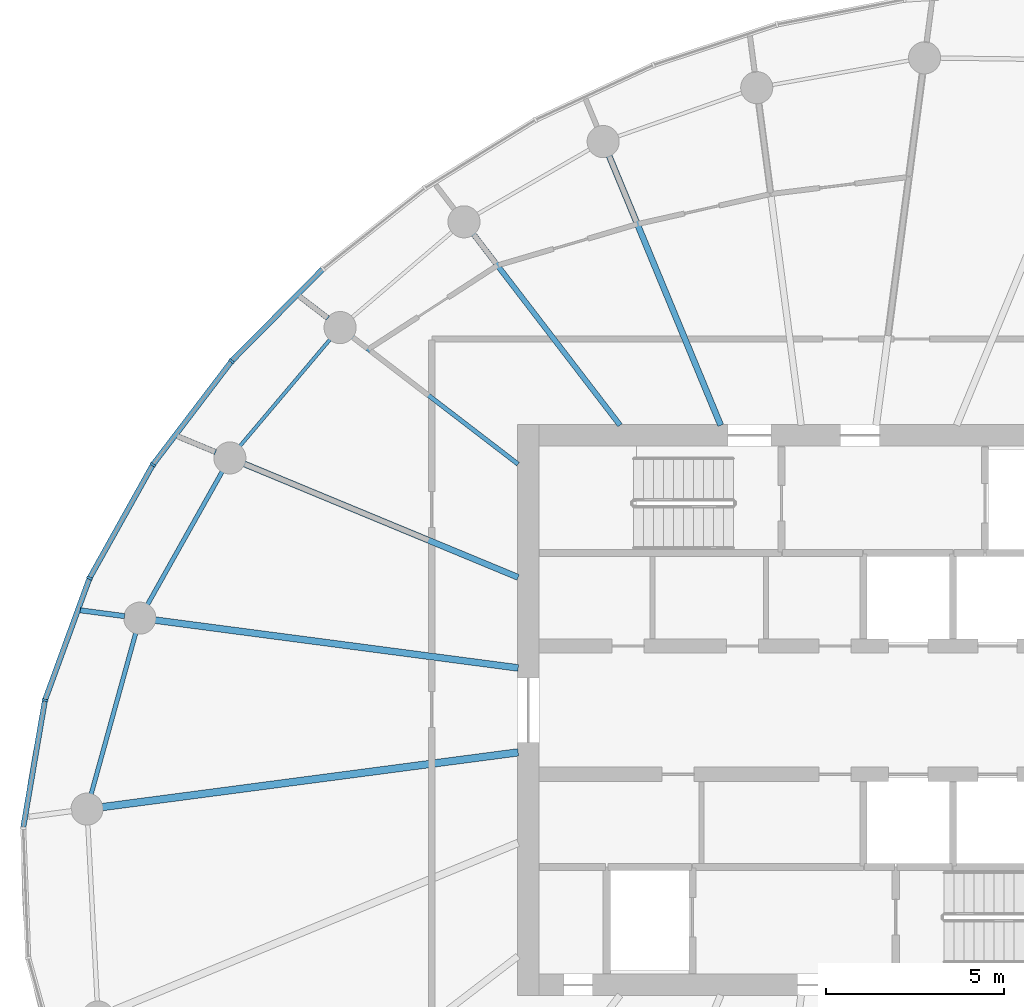
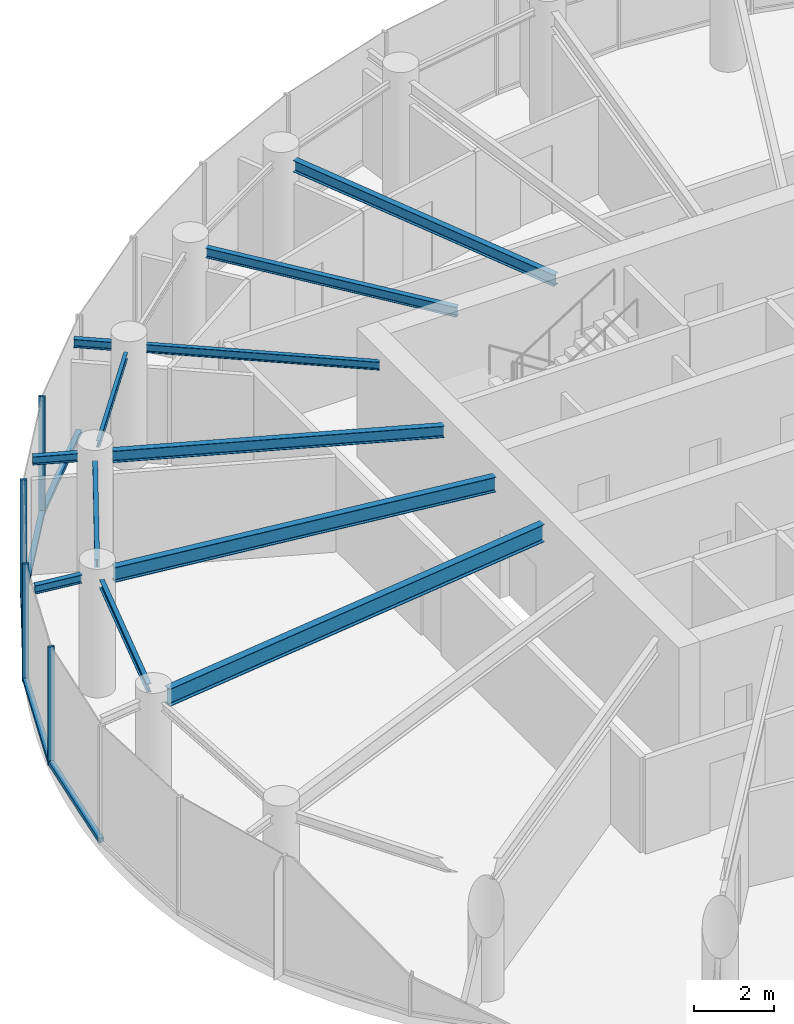
# One storey, part 4 of 14: 12 beams, 9 members, 2 elements without a shape of their own.
"""IFC4 building model written with IfcOpenShell, lengths in metres."""

import ifcopenshell
import ifcopenshell.guid

model = None  # the IFC model being written
_history = None  # IfcOwnerHistory: only IFC2X3 demands one
_inside = {}  # id of a spatial element -> (the spatial element, [elements in it])
_under = {}  # id of a project, library or spatial element -> (it, [spatial elements below it])
_declared = {}  # id of a project -> (the project, [libraries it declares])
_typed = {}  # id of a type object -> (the type object, [elements of that type])
_made_of = {}  # id of a material, layer set ... -> (it, [elements and type objects made of it])


def new_model(schema):
    """Start an empty IFC model of exactly this schema.

    Asked for "IFC4X3", IfcOpenShell would pick the latest addendum, in which some entities
    have other attributes; the version numbers below select the first issue.
    IFC2X3 requires an IfcOwnerHistory on every rooted entity: one is made here for all.
    """
    global model, _history
    if schema == "IFC4X3":
        model = ifcopenshell.file(schema_version=(4, 3, 0, 0))
    else:
        model = ifcopenshell.file(schema=schema)
    _inside.clear()
    _under.clear()
    _declared.clear()
    _typed.clear()
    _made_of.clear()
    _history = None
    if model.schema == "IFC2X3":
        org = make("IfcOrganization", Name="unknown")
        user = make(
            "IfcPersonAndOrganization",
            ThePerson=make("IfcPerson", FamilyName="unknown"),
            TheOrganization=org,
        )
        app = make(
            "IfcApplication",
            ApplicationDeveloper=org,
            Version="unknown",
            ApplicationFullName="unknown",
            ApplicationIdentifier="unknown",
        )
        _history = make(
            "IfcOwnerHistory",
            OwningUser=user,
            OwningApplication=app,
            ChangeAction="ADDED",
            CreationDate=0,
        )
    return model


def make(cls, **values):
    """One entity of the class cls with the attributes given. An attribute that is None is left unset."""
    return model.create_entity(
        cls, **{name: value for name, value in values.items() if value is not None}
    )


def rooted(cls, **values):
    """An entity with a GlobalId (a new one), such as an element, a storey or a relation."""
    return make(cls, GlobalId=ifcopenshell.guid.new(), OwnerHistory=_history, **values)


def si_unit(unit_type, name, prefix=None):
    """IfcSIUnit, for example si_unit("LENGTHUNIT", "METRE", prefix="MILLI")."""
    return make("IfcSIUnit", UnitType=unit_type, Prefix=prefix, Name=name)


def assignment(units):
    """IfcUnitAssignment: the units of a project."""
    return None if units is None else make("IfcUnitAssignment", Units=units)


def point(xyz):
    """IfcCartesianPoint."""
    return None if xyz is None else make("IfcCartesianPoint", Coordinates=xyz)


def direction(xyz):
    """IfcDirection."""
    return None if xyz is None else make("IfcDirection", DirectionRatios=xyz)


def frame(location, z_axis=None, x_axis=None):
    """IfcAxis2Placement3D, a coordinate frame: its origin and axes. An axis left out is left unset."""
    return make(
        "IfcAxis2Placement3D",
        Location=point(location),
        Axis=direction(z_axis),
        RefDirection=direction(x_axis),
    )


def frame_2d(location, x_axis=None):
    """IfcAxis2Placement2D, a coordinate frame in the plane: its origin and x axis."""
    return make(
        "IfcAxis2Placement2D", Location=point(location), RefDirection=direction(x_axis)
    )


def origin():
    """The frame at (0, 0, 0) with its axes left unset."""
    return frame((0.0, 0.0, 0.0))


def origin_2d():
    """The frame at (0, 0) in the plane with its x axis left unset."""
    return frame_2d((0.0, 0.0))


def place(relative_to, where):
    """IfcLocalPlacement: puts the frame where relative to a parent placement (None: the world)."""
    return make(
        "IfcLocalPlacement", PlacementRelTo=relative_to, RelativePlacement=where
    )


def context(
    kind, dimensions, precision=None, world=None, true_north=None, identifier=None
):
    """IfcGeometricRepresentationContext, for example the 3D "Model" context."""
    return make(
        "IfcGeometricRepresentationContext",
        ContextIdentifier=identifier,
        ContextType=kind,
        CoordinateSpaceDimension=dimensions,
        Precision=precision,
        WorldCoordinateSystem=world,
        TrueNorth=true_north,
    )


def subcontext(parent, identifier, kind, view, scale=None):
    """IfcGeometricRepresentationSubContext, for example "Body" below "Model"."""
    return make(
        "IfcGeometricRepresentationSubContext",
        ContextIdentifier=identifier,
        ContextType=kind,
        ParentContext=parent,
        TargetScale=scale,
        TargetView=view,
    )


def project(units=None, contexts=None):
    """IfcProject with its units and contexts."""
    return rooted(
        "IfcProject",
        Name="project",
        RepresentationContexts=contexts,
        UnitsInContext=assignment(units),
    )


def spatial(cls, under=None, at=None, **own):
    """A site, building, storey or space (cls), placed at a placement, below another one or the project."""
    s = rooted(cls, ObjectPlacement=at, **own)
    if under is not None:
        _under.setdefault(under.id(), (under, []))[1].append(s)
    return s


def profile(cls, at=None, kind="AREA", **sizes):
    """A parametric profile (cls). Its sizes go by their IFC names, for example OverallWidth=200.0."""
    return make(cls, ProfileType=kind, Position=at, **sizes)


def rectangle(**sizes):
    """IfcRectangleProfileDef."""
    return profile("IfcRectangleProfileDef", **sizes)


def i_section(**sizes):
    """IfcIShapeProfileDef."""
    return profile("IfcIShapeProfileDef", **sizes)


def extrude(swept, where, along, depth):
    """IfcExtrudedAreaSolid: the profile swept, set in the frame where, extruded along a direction by depth."""
    return make(
        "IfcExtrudedAreaSolid",
        SweptArea=swept,
        Position=where,
        ExtrudedDirection=direction(along),
        Depth=depth,
    )


def shape(context_of_items, identifier, shape_type, items):
    """IfcShapeRepresentation: the items that make up one representation, for example the "Body"."""
    return make(
        "IfcShapeRepresentation",
        ContextOfItems=context_of_items,
        RepresentationIdentifier=identifier,
        RepresentationType=shape_type,
        Items=items,
    )


def source(mapping_origin, context_of_items, identifier, shape_type, items):
    """IfcRepresentationMap: a shape defined once, which mapped items show again and again."""
    return make(
        "IfcRepresentationMap",
        MappingOrigin=mapping_origin,
        MappedRepresentation=shape(context_of_items, identifier, shape_type, items),
    )


def transform(
    local_origin,
    x_axis=None,
    y_axis=None,
    z_axis=None,
    scale=None,
    scale2=None,
    scale3=None,
    uniform=True,
):
    """IfcCartesianTransformationOperator3D, or its non-uniform kind. x_axis, y_axis, z_axis: its Axis1, 2, 3."""
    if uniform:
        return make(
            "IfcCartesianTransformationOperator3D",
            Axis1=direction(x_axis),
            Axis2=direction(y_axis),
            LocalOrigin=point(local_origin),
            Scale=scale,
            Axis3=direction(z_axis),
        )
    return make(
        "IfcCartesianTransformationOperator3DnonUniform",
        Axis1=direction(x_axis),
        Axis2=direction(y_axis),
        LocalOrigin=point(local_origin),
        Scale=scale,
        Axis3=direction(z_axis),
        Scale2=scale2,
        Scale3=scale3,
    )


def mapped(mapping_source, mapping_target):
    """IfcMappedItem: shows the shape of a source again, moved by a transform."""
    return make(
        "IfcMappedItem", MappingSource=mapping_source, MappingTarget=mapping_target
    )


def material(Name=None, Category=None):
    """IfcMaterial."""
    return make("IfcMaterial", Name=Name, Category=Category)


def layer(
    of_material, thickness, ventilated=None, Name=None, Category=None, Priority=None
):
    """IfcMaterialLayer: one layer of a wall or slab, of a material (None: an air gap)."""
    return make(
        "IfcMaterialLayer",
        Material=of_material,
        LayerThickness=thickness,
        IsVentilated=ventilated,
        Name=Name,
        Category=Category,
        Priority=Priority,
    )


def layer_set(layers, Name=None):
    """IfcMaterialLayerSet."""
    return make("IfcMaterialLayerSet", MaterialLayers=layers, LayerSetName=Name)


def material_profile(
    of_material, cross_section, Name=None, Category=None, Priority=None
):
    """IfcMaterialProfile: a cross section and its material."""
    return make(
        "IfcMaterialProfile",
        Name=Name,
        Material=of_material,
        Profile=cross_section,
        Priority=Priority,
        Category=Category,
    )


def profile_set(profiles, Name=None, composite=None):
    """IfcMaterialProfileSet."""
    return make(
        "IfcMaterialProfileSet",
        Name=Name,
        MaterialProfiles=profiles,
        CompositeProfile=composite,
    )


def made_of(thing, what):
    """Note that an element or type object is made of a material, layer set ...; save() writes the relation."""
    if what is not None:
        _made_of.setdefault(what.id(), (what, []))[1].append(thing)
    return thing


def type_object(cls, material=None, **own):
    """A type object (cls), such as IfcWallType, which elements share."""
    return made_of(rooted(cls, **own), material)


def element(
    cls,
    number,
    at=None,
    inside=None,
    cuts=None,
    type_object=None,
    material=None,
    context=None,
    identifier="Body",
    shape_type=None,
    held_by="IfcProductDefinitionShape",
    body=None,
    shapes=None,
    **own,
):
    """One element of the class cls, such as IfcWall. Its Tag is "e" and its number.

    at: its placement. inside: the storey or other place that contains it. cuts: it is an
    opening in that element (IfcRelVoidsElement). A single representation is given by context,
    identifier, shape_type and body (its items); several are given by shapes. held_by: the class
    of the entity that holds the representations. save() writes the other relations.
    """
    e = rooted(cls, Tag="e%d" % number, ObjectPlacement=at, **own)
    if body is not None:
        shapes = [shape(context, identifier, shape_type, body)]
    if shapes is not None:
        e.Representation = make(held_by, Representations=shapes)
    if inside is not None:
        _inside.setdefault(inside.id(), (inside, []))[1].append(e)
    if cuts is not None:
        rooted(
            "IfcRelVoidsElement", RelatingBuildingElement=cuts, RelatedOpeningElement=e
        )
    if type_object is not None:
        _typed.setdefault(type_object.id(), (type_object, []))[1].append(e)
    return made_of(e, material)


def aggregate(whole, parts):
    """IfcRelAggregates: a whole, such as a stair, and the parts it consists of."""
    return rooted("IfcRelAggregates", RelatingObject=whole, RelatedObjects=parts)


def save(model, path):
    """Write the relations noted so far, then the file.

    IfcRelAggregates (storeys below a building ...), IfcRelContainedInSpatialStructure (elements
    in a storey), IfcRelDefinesByType, IfcRelAssociatesMaterial and IfcRelDeclares: one each for
    every whole, place, type object, material and project.
    """
    for whole, parts in _under.values():
        aggregate(whole, parts)
    for where, things in _inside.values():
        rooted(
            "IfcRelContainedInSpatialStructure",
            RelatedElements=things,
            RelatingStructure=where,
        )
    for kind, things in _typed.values():
        rooted("IfcRelDefinesByType", RelatedObjects=things, RelatingType=kind)
    for what, things in _made_of.values():
        rooted("IfcRelAssociatesMaterial", RelatedObjects=things, RelatingMaterial=what)
    for by, libraries in _declared.values():
        rooted("IfcRelDeclares", RelatingContext=by, RelatedDefinitions=libraries)
    model.write(path)


model = new_model("IFC4")

# Units and contexts
model_context = context("Model", 3, precision=1e-05, world=origin(), true_north=direction((0.0, 1.0)))
body_context = subcontext(model_context, "Body", "Model", "MODEL_VIEW")
ifc_project = project(units=[si_unit("LENGTHUNIT", "METRE"), si_unit("AREAUNIT", "SQUARE_METRE"), si_unit("VOLUMEUNIT", "CUBIC_METRE"), si_unit("PLANEANGLEUNIT", "RADIAN"), si_unit("MASSUNIT", "GRAM", prefix="KILO")], contexts=[model_context])

# Site, building, storey
site_placement = place(None, origin())
site = spatial("IfcSite", under=ifc_project, at=site_placement, CompositionType="ELEMENT")
building_placement = place(site_placement, origin())
building = spatial("IfcBuilding", under=site, at=building_placement, Name="Spindrift Exchange Tower", CompositionType="ELEMENT")
storey_placement = place(building_placement, frame((0.0, 0.0, 215.0)))
storey = spatial("IfcBuildingStorey", under=building, at=storey_placement, Name="L52", CompositionType="ELEMENT", Elevation=215.0)

# Beams
ifc_material_1 = material(Name="Steel Grade 300", Category="steel")
ifc_material_profile_1 = material_profile(ifc_material_1, i_section(OverallWidth=0.208984375, OverallDepth=0.528076171875, WebThickness=0.009521484375, FlangeThickness=0.01318359375, FilletRadius=0.013916015625, at=origin_2d()), Name="530UB82.0")
ifc_profile_set_1 = profile_set([ifc_material_profile_1], Name="Steel Grade 300")
beam_type_1 = type_object("IfcBeamType", Name="Floor Beam 530UB82.0 Steel Grade 300", PredefinedType="BEAM", material=ifc_profile_set_1)
shared_shape_1 = source(origin(), body_context, "Body", "SweptSolid", [
    extrude(i_section(OverallWidth=0.208984375, OverallDepth=0.528076171875, WebThickness=0.009521484375, FlangeThickness=0.01318359375, FilletRadius=0.013916015625, at=origin_2d()), origin(), (0.0, 0.0, 1.0), 11.75634765625),
])
beam_1_placement = place(storey_placement, frame((43.019775390625, 46.817626953125, 3.31591796875), z_axis=(-0.991445811455, -0.13051897543, 0.0), x_axis=(0.13051897543, -0.991445811455, 0.0)))
element("IfcBeam", 1, at=beam_1_placement, inside=storey, type_object=beam_type_1, Name="L52 radial beam R13A", PredefinedType="BEAM", context=body_context, shape_type="MappedRepresentation", body=[
    mapped(shared_shape_1, transform((0.0, 0.0, 0.0), scale=1.0)),
])
ifc_material_profile_2 = material_profile(ifc_material_1, i_section(OverallWidth=0.1708984375, OverallDepth=0.35205078125, WebThickness=0.0068359375, FlangeThickness=0.009765625, FilletRadius=0.013916015625, at=origin_2d()), Name="360UB44.7")
ifc_profile_set_2 = profile_set([ifc_material_profile_2], Name="Steel Grade 300")
beam_type_2 = type_object("IfcBeamType", Name="Floor Beam 360UB44.7 Steel Grade 300", PredefinedType="BEAM", material=ifc_profile_set_2)
shared_shape_2 = source(origin(), body_context, "Body", "SweptSolid", [
    extrude(i_section(OverallWidth=0.1708984375, OverallDepth=0.35205078125, WebThickness=0.0068359375, FlangeThickness=0.009765625, FilletRadius=0.013916015625, at=origin_2d()), origin(), (0.0, 0.0, 1.0), 8.1748046875),
])
beam_2_placement = place(storey_placement, frame((48.69384765625, 55.9814453125, 3.404052734375), z_axis=(-0.382655117626, 0.923891260352, 0.0), x_axis=(-0.923891260352, -0.382655117626, 0.0)))
element("IfcBeam", 2, at=beam_2_placement, inside=storey, type_object=beam_type_2, Name="L52 radial beam R08A", PredefinedType="BEAM", context=body_context, shape_type="MappedRepresentation", body=[
    mapped(shared_shape_2, transform((0.0, 0.0, 0.0), scale=1.0)),
])
ifc_material_profile_3 = material_profile(ifc_material_1, i_section(OverallWidth=0.14892578125, OverallDepth=0.298095703125, WebThickness=0.005615234375, FlangeThickness=0.008056640625, FilletRadius=0.012939453125, at=origin_2d()), Name="310UB32.0")
ifc_profile_set_3 = profile_set([ifc_material_profile_3], Name="Steel Grade 300")
beam_type_3 = type_object("IfcBeamType", Name="Floor Beam 310UB32.0 Steel Grade 300", PredefinedType="BEAM", material=ifc_profile_set_3)
shared_shape_3 = source(origin(), body_context, "Body", "SweptSolid", [
    extrude(i_section(OverallWidth=0.14892578125, OverallDepth=0.298095703125, WebThickness=0.005615234375, FlangeThickness=0.008056640625, FilletRadius=0.012939453125, at=origin_2d()), origin(), (0.0, 0.0, 1.0), 6.753173828125),
])
beam_3_placement = place(storey_placement, frame((45.87353515625, 55.984130859375, 3.430908203125), z_axis=(-0.608761639459, 0.793353178807, 0.0), x_axis=(-0.793353178807, -0.608761639459, 0.0)))
element("IfcBeam", 3, at=beam_3_placement, inside=storey, type_object=beam_type_3, Name="L52 radial beam R09A", PredefinedType="BEAM", context=body_context, shape_type="MappedRepresentation", body=[
    mapped(shared_shape_3, transform((0.0, 0.0, 0.0), scale=1.0)),
])
ifc_material_profile_4 = material_profile(ifc_material_1, i_section(OverallWidth=0.1240234375, OverallDepth=0.248046875, WebThickness=0.0048828125, FlangeThickness=0.008056640625, FilletRadius=0.011962890625, at=origin_2d()), Name="250UB25.7")
ifc_profile_set_4 = profile_set([ifc_material_profile_4], Name="Steel Grade 300")
beam_type_4 = type_object("IfcBeamType", Name="Floor Beam 250UB25.7 Steel Grade 300", PredefinedType="BEAM", material=ifc_profile_set_4)
shared_shape_4 = source(origin(), body_context, "Body", "SweptSolid", [
    extrude(i_section(OverallWidth=0.1240234375, OverallDepth=0.248046875, WebThickness=0.0048828125, FlangeThickness=0.008056640625, FilletRadius=0.011962890625, at=origin_2d()), origin(), (0.0, 0.0, 1.0), 5.855712890625),
])
beam_4_placement = place(storey_placement, frame((43.015869140625, 54.893798828125, 3.4560546875), z_axis=(-0.793362708479, 0.608749219954, 0.0), x_axis=(-0.608749219954, -0.793362708479, 0.0)))
element("IfcBeam", 4, at=beam_4_placement, inside=storey, type_object=beam_type_4, Name="L52 radial beam R10A", PredefinedType="BEAM", context=body_context, shape_type="MappedRepresentation", body=[
    mapped(shared_shape_4, transform((0.0, 0.0, 0.0), scale=1.0)),
])
shared_shape_5 = source(origin(), body_context, "Body", "SweptSolid", [
    extrude(i_section(OverallWidth=0.1708984375, OverallDepth=0.35205078125, WebThickness=0.0068359375, FlangeThickness=0.009765625, FilletRadius=0.013916015625, at=origin_2d()), origin(), (0.0, 0.0, 1.0), 8.3134765625),
])
beam_5_placement = place(storey_placement, frame((43.0185546875, 51.72021484375, 3.404052734375), z_axis=(-0.923881179957, 0.382679455055, 0.0), x_axis=(-0.382679455055, -0.923881179957, 0.0)))
element("IfcBeam", 5, at=beam_5_placement, inside=storey, type_object=beam_type_2, Name="L52 radial beam R11A", PredefinedType="BEAM", context=body_context, shape_type="MappedRepresentation", body=[
    mapped(shared_shape_5, transform((0.0, 0.0, 0.0), scale=1.0)),
])
ifc_material_profile_5 = material_profile(ifc_material_1, i_section(OverallWidth=0.18994140625, OverallDepth=0.4541015625, WebThickness=0.008544921875, FlangeThickness=0.0126953125, FilletRadius=0.013916015625, at=origin_2d()), Name="460UB67.1")
ifc_profile_set_5 = profile_set([ifc_material_profile_5], Name="Steel Grade 300")
beam_type_5 = type_object("IfcBeamType", Name="Floor Beam 460UB67.1 Steel Grade 300", PredefinedType="BEAM", material=ifc_profile_set_5)
shared_shape_6 = source(origin(), body_context, "Body", "SweptSolid", [
    extrude(i_section(OverallWidth=0.18994140625, OverallDepth=0.4541015625, WebThickness=0.008544921875, FlangeThickness=0.0126953125, FilletRadius=0.013916015625, at=origin_2d()), origin(), (0.0, 0.0, 1.0), 10.262451171875),
])
beam_6_placement = place(storey_placement, frame((43.019775390625, 49.182373046875, 3.35302734375), z_axis=(-0.991446763371, 0.130511744304, 0.0), x_axis=(-0.130511744304, -0.991446763371, 0.0)))
element("IfcBeam", 6, at=beam_6_placement, inside=storey, type_object=beam_type_5, Name="L52 radial beam R12A", PredefinedType="BEAM", context=body_context, shape_type="MappedRepresentation", body=[
    mapped(shared_shape_6, transform((0.0, 0.0, 0.0), scale=1.0)),
])
ifc_material_profile_6 = material_profile(ifc_material_1, i_section(OverallWidth=0.09912109375, OverallDepth=0.197998046875, WebThickness=0.00439453125, FlangeThickness=0.007080078125, FilletRadius=0.010986328125, at=origin_2d()), Name="200UB18.2")
ifc_profile_set_6 = profile_set([ifc_material_profile_6], Name="Steel Grade 300")
beam_type_6 = type_object("IfcBeamType", Name="Edge Beam 200UB18.2 Steel Grade 300", PredefinedType="SPANDREL", material=ifc_profile_set_6)
shared_shape_7 = source(origin(), body_context, "Body", "SweptSolid", [
    extrude(i_section(OverallWidth=0.09912109375, OverallDepth=0.197998046875, WebThickness=0.00439453125, FlangeThickness=0.007080078125, FilletRadius=0.010986328125, at=origin_2d()), origin(), (0.0, 0.0, 1.0), 3.92431640625),
])
beam_7_placement = place(storey_placement, frame((37.75146484375, 58.391845703125, 3.48095703125), z_axis=(-0.645498720032, -0.763761351757, 0.0), x_axis=(0.763761351757, -0.645498720032, 0.0)))
element("IfcBeam", 7, at=beam_7_placement, inside=storey, type_object=beam_type_6, Name="L52 edge beam E10", PredefinedType="SPANDREL", context=body_context, shape_type="MappedRepresentation", body=[
    mapped(shared_shape_7, transform((0.0, 0.0, 0.0), scale=1.0)),
])
ifc_material_profile_7 = material_profile(ifc_material_1, i_section(OverallWidth=0.1240234375, OverallDepth=0.248046875, WebThickness=0.0048828125, FlangeThickness=0.008056640625, FilletRadius=0.011962890625, at=origin_2d()), Name="250UB25.7")
ifc_profile_set_7 = profile_set([ifc_material_profile_7], Name="Steel Grade 300")
beam_type_7 = type_object("IfcBeamType", Name="Edge Beam 250UB25.7 Steel Grade 300", PredefinedType="SPANDREL", material=ifc_profile_set_7)
shared_shape_8 = source(origin(), body_context, "Body", "SweptSolid", [
    extrude(i_section(OverallWidth=0.1240234375, OverallDepth=0.248046875, WebThickness=0.0048828125, FlangeThickness=0.008056640625, FilletRadius=0.011962890625, at=origin_2d()), origin(), (0.0, 0.0, 1.0), 4.2880859375),
])
beam_8_placement = place(storey_placement, frame((34.72998046875, 54.69140625, 3.4560546875), z_axis=(-0.489804347673, -0.871832381253, 0.0), x_axis=(0.871832381253, -0.489804347673, 0.0)))
element("IfcBeam", 8, at=beam_8_placement, inside=storey, type_object=beam_type_7, Name="L52 edge beam E11", PredefinedType="SPANDREL", context=body_context, shape_type="MappedRepresentation", body=[
    mapped(shared_shape_8, transform((0.0, 0.0, 0.0), scale=1.0)),
])
shared_shape_9 = source(origin(), body_context, "Body", "SweptSolid", [
    extrude(i_section(OverallWidth=0.1240234375, OverallDepth=0.248046875, WebThickness=0.0048828125, FlangeThickness=0.008056640625, FilletRadius=0.011962890625, at=origin_2d()), origin(), (0.0, 0.0, 1.0), 4.69189453125),
])
beam_9_placement = place(storey_placement, frame((32.30419921875, 50.16357421875, 3.4560546875), z_axis=(-0.266774248618, -0.963759046792, 0.0), x_axis=(0.963759046792, -0.266774248618, 0.0)))
element("IfcBeam", 9, at=beam_9_placement, inside=storey, type_object=beam_type_7, Name="L52 edge beam E12", PredefinedType="SPANDREL", context=body_context, shape_type="MappedRepresentation", body=[
    mapped(shared_shape_9, transform((0.0, 0.0, 0.0), scale=1.0)),
])
ifc_material_profile_8 = material_profile(ifc_material_1, i_section(OverallWidth=0.14599609375, OverallDepth=0.251953125, WebThickness=0.006103515625, FlangeThickness=0.008544921875, FilletRadius=0.011962890625, at=origin_2d()), Name="250UB31.4")
ifc_profile_set_8 = profile_set([ifc_material_profile_8], Name="Steel Grade 300")
beam_type_8 = type_object("IfcBeamType", Name="Cantilever Beam 250UB31.4 Steel Grade 300", PredefinedType="BEAM", material=ifc_profile_set_8)
shared_shape_10 = source(origin(), body_context, "Body", "SweptSolid", [
    extrude(i_section(OverallWidth=0.14599609375, OverallDepth=0.251953125, WebThickness=0.006103515625, FlangeThickness=0.008544921875, FilletRadius=0.011962890625, at=origin_2d()), origin(), (0.0, 0.0, 1.0), 0.95068359375),
])
beam_10_placement = place(storey_placement, frame((37.68798828125, 58.982177734375, 3.4541015625), z_axis=(-0.793482352244, 0.608593260459, 0.0), x_axis=(-0.608593260459, -0.793482352244, 0.0)))
element("IfcBeam", 10, at=beam_10_placement, inside=storey, type_object=beam_type_8, Name="L52 cantilever beam R10T", PredefinedType="BEAM", context=body_context, shape_type="MappedRepresentation", body=[
    mapped(shared_shape_10, transform((0.0, 0.0, 0.0), scale=1.0)),
])
shared_shape_11 = source(origin(), body_context, "Body", "SweptSolid", [
    extrude(i_section(OverallWidth=0.14599609375, OverallDepth=0.251953125, WebThickness=0.006103515625, FlangeThickness=0.008544921875, FilletRadius=0.011962890625, at=origin_2d()), origin(), (0.0, 0.0, 1.0), 1.134033203125),
])
beam_11_placement = place(storey_placement, frame((34.543212890625, 55.230712890625, 3.4541015625), z_axis=(-0.92383312361, 0.382795454155, 0.0), x_axis=(-0.382795454155, -0.92383312361, 0.0)))
element("IfcBeam", 11, at=beam_11_placement, inside=storey, type_object=beam_type_8, Name="L52 cantilever beam R11T", PredefinedType="BEAM", context=body_context, shape_type="MappedRepresentation", body=[
    mapped(shared_shape_11, transform((0.0, 0.0, 0.0), scale=1.0)),
])
shared_shape_12 = source(origin(), body_context, "Body", "SweptSolid", [
    extrude(i_section(OverallWidth=0.14599609375, OverallDepth=0.251953125, WebThickness=0.006103515625, FlangeThickness=0.008544921875, FilletRadius=0.011962890625, at=origin_2d()), origin(), (0.0, 0.0, 1.0), 1.254150390625),
])
beam_12_placement = place(storey_placement, frame((31.99267578125, 50.634033203125, 3.4541015625), z_axis=(-0.991457608202, 0.130429333889, 0.0), x_axis=(-0.130429333889, -0.991457608202, 0.0)))
element("IfcBeam", 12, at=beam_12_placement, inside=storey, type_object=beam_type_8, Name="L52 cantilever beam R12T", PredefinedType="BEAM", context=body_context, shape_type="MappedRepresentation", body=[
    mapped(shared_shape_12, transform((0.0, 0.0, 0.0), scale=1.0)),
])

# Curtain wall, member
ifc_material_2 = material(Name="Fritted laminated glass with bronze frame", Category="glass")
ifc_layer = layer(ifc_material_2, 0.169921875)
ifc_layer_set = layer_set([ifc_layer], Name="ZONE 4 BRONZE FRITTED WALL")
curtain_wall_type = type_object("IfcCurtainWallType", Name="ZONE 4 BRONZE FRITTED WALL", PredefinedType="NOTDEFINED", material=ifc_layer_set)
curtain_wall_1_placement = place(storey_placement, origin())
curtain_wall_1 = element("IfcCurtainWall", 13, at=curtain_wall_1_placement, inside=storey, type_object=curtain_wall_type, Name="L52 Zone 4 Bronze Fritted Wall run 2", PredefinedType="NOTDEFINED")
ifc_material_3 = material(Name="Bronze anodised aluminium", Category="aluminium")
ifc_material_profile_9 = material_profile(ifc_material_3, rectangle(XDim=0.14990234375, YDim=0.125, at=origin_2d()), Name="ZONE 4 BRONZE FRITTED WALL TRANSOM 150X125")
ifc_profile_set_9 = profile_set([ifc_material_profile_9], Name="Bronze anodised aluminium")
member_type_1 = type_object("IfcMemberType", Name="ZONE 4 BRONZE FRITTED WALL TRANSOM 150X125", PredefinedType="USERDEFINED", material=ifc_profile_set_9)
shared_shape_13 = source(origin(), body_context, "Body", "SweptSolid", [
    extrude(rectangle(XDim=0.14990234375, YDim=0.125, at=origin_2d()), origin(), (0.0, 0.0, 1.0), 3.57763671875),
])
member_1_placement = place(storey_placement, frame((37.5263671875, 60.344482421875, 0.0625), z_axis=(-0.703034691561, -0.711155554335, 0.0), x_axis=(0.711155554335, -0.703034691561, 0.0)))
member_1 = element("IfcMember", 14, at=member_1_placement, type_object=member_type_1, Name="L52 transom CW-4.12", ObjectType="TRANSOM", PredefinedType="USERDEFINED", context=body_context, shape_type="MappedRepresentation", body=[
    mapped(shared_shape_13, transform((0.0, 0.0, 0.0), scale=1.0)),
])
aggregate(curtain_wall_1, [member_1])

# Curtain wall, members
curtain_wall_2_placement = place(storey_placement, origin())
curtain_wall_2 = element("IfcCurtainWall", 15, at=curtain_wall_2_placement, inside=storey, type_object=curtain_wall_type, Name="L52 Zone 4 Bronze Fritted Wall run 3", PredefinedType="NOTDEFINED")
shared_shape_14 = source(origin(), body_context, "Body", "SweptSolid", [
    extrude(rectangle(XDim=0.14990234375, YDim=0.125, at=origin_2d()), origin(), (0.0, 0.0, 1.0), 3.5771484375),
])
member_2_placement = place(storey_placement, frame((34.96875, 57.75146484375, 0.0625), z_axis=(-0.605500219911, -0.795845138006, 0.0), x_axis=(0.795845138006, -0.605500219911, 0.0)))
member_2 = element("IfcMember", 16, at=member_2_placement, type_object=member_type_1, Name="L52 transom CW-4.13", ObjectType="TRANSOM", PredefinedType="USERDEFINED", context=body_context, shape_type="MappedRepresentation", body=[
    mapped(shared_shape_14, transform((0.0, 0.0, 0.0), scale=1.0)),
])
shared_shape_15 = source(origin(), body_context, "Body", "SweptSolid", [
    extrude(rectangle(XDim=0.14990234375, YDim=0.125, at=origin_2d()), origin(), (0.0, 0.0, 1.0), 3.575439453125),
])
member_3_placement = place(storey_placement, frame((30.997802734375, 51.66796875, 0.0625), z_axis=(-0.343179051683, -0.939270002974, 0.0), x_axis=(0.939270002974, -0.343179051683, 0.0)))
member_3 = element("IfcMember", 17, at=member_3_placement, type_object=member_type_1, Name="L52 transom CW-4.15", ObjectType="TRANSOM", PredefinedType="USERDEFINED", context=body_context, shape_type="MappedRepresentation", body=[
    mapped(shared_shape_15, transform((0.0, 0.0, 0.0), scale=1.0)),
])
ifc_material_profile_10 = material_profile(ifc_material_3, rectangle(XDim=0.06494140625, YDim=0.169921875, at=origin_2d()), Name="ZONE 4 BRONZE FRITTED WALL MULLION 65X170")
ifc_profile_set_10 = profile_set([ifc_material_profile_10], Name="Bronze anodised aluminium")
member_type_2 = type_object("IfcMemberType", Name="ZONE 4 BRONZE FRITTED WALL MULLION 65X170", PredefinedType="MULLION", material=ifc_profile_set_10)
shared_shape_16 = source(origin(), body_context, "Body", "SweptSolid", [
    extrude(rectangle(XDim=0.06494140625, YDim=0.169921875, at=origin_2d()), origin(), (0.0, 0.0, 1.0), 3.580078125),
])
member_4_placement = place(storey_placement, frame((34.98828125, 57.77734375, 0.0), z_axis=(0.0, 0.0, 1.0), x_axis=(-0.655633229069, -0.755079511668, 0.0)))
member_4 = element("IfcMember", 18, at=member_4_placement, type_object=member_type_2, Name="L52 mullion CW-4.13", PredefinedType="MULLION", context=body_context, shape_type="MappedRepresentation", body=[
    mapped(shared_shape_16, transform((0.0, 0.0, 0.0), scale=1.0)),
])
member_5_placement = place(storey_placement, frame((32.783203125, 54.878662109375, 0.0), z_axis=(0.0, 0.0, 1.0), x_axis=(-0.547721739301, -0.836660562174, 0.0)))
member_5 = element("IfcMember", 19, at=member_5_placement, type_object=member_type_2, Name="L52 mullion CW-4.14", PredefinedType="MULLION", context=body_context, shape_type="MappedRepresentation", body=[
    mapped(shared_shape_16, transform((0.0, 0.0, 0.0), scale=1.0)),
])
member_6_placement = place(storey_placement, frame((31.0087890625, 51.698486328125, 0.0), z_axis=(0.0, 0.0, 1.0), x_axis=(-0.416489506259, -0.909140523339, 0.0)))
member_6 = element("IfcMember", 20, at=member_6_placement, type_object=member_type_2, Name="L52 mullion CW-4.15", PredefinedType="MULLION", context=body_context, shape_type="MappedRepresentation", body=[
    mapped(shared_shape_16, transform((0.0, 0.0, 0.0), scale=1.0)),
])
member_7_placement = place(storey_placement, frame((29.759765625, 48.279052734375, 0.0), z_axis=(0.0, 0.0, 1.0), x_axis=(-0.256786631132, -0.966468119532, 0.0)))
member_7 = element("IfcMember", 21, at=member_7_placement, type_object=member_type_2, Name="L52 mullion CW-4.16", PredefinedType="MULLION", context=body_context, shape_type="MappedRepresentation", body=[
    mapped(shared_shape_16, transform((0.0, 0.0, 0.0), scale=1.0)),
])
shared_shape_17 = source(origin(), body_context, "Body", "SweptSolid", [
    extrude(rectangle(XDim=0.14990234375, YDim=0.125, at=origin_2d()), origin(), (0.0, 0.0, 1.0), 3.57421875),
])
member_8_placement = place(storey_placement, frame((29.754150390625, 48.2470703125, 0.0625), z_axis=(-0.168307794692, -0.985734490746, 0.0), x_axis=(0.985734490746, -0.168307794692, 0.0)))
member_8 = element("IfcMember", 22, at=member_8_placement, type_object=member_type_1, Name="L52 transom CW-4.16", ObjectType="TRANSOM", PredefinedType="USERDEFINED", context=body_context, shape_type="MappedRepresentation", body=[
    mapped(shared_shape_17, transform((0.0, 0.0, 0.0), scale=1.0)),
])
shared_shape_18 = source(origin(), body_context, "Body", "SweptSolid", [
    extrude(rectangle(XDim=0.14990234375, YDim=0.125, at=origin_2d()), origin(), (0.0, 0.0, 1.0), 3.576416015625),
])
member_9_placement = place(storey_placement, frame((32.767333984375, 54.85009765625, 0.0625), z_axis=(-0.487276581574, -0.87324769284, 0.0), x_axis=(0.87324769284, -0.487276581574, 0.0)))
member_9 = element("IfcMember", 23, at=member_9_placement, type_object=member_type_1, Name="L52 transom CW-4.14", ObjectType="TRANSOM", PredefinedType="USERDEFINED", context=body_context, shape_type="MappedRepresentation", body=[
    mapped(shared_shape_18, transform((0.0, 0.0, 0.0), scale=1.0)),
])
aggregate(curtain_wall_2, [member_4, member_2, member_5, member_9, member_6, member_3, member_7, member_8])

save(model, "model.ifc")
